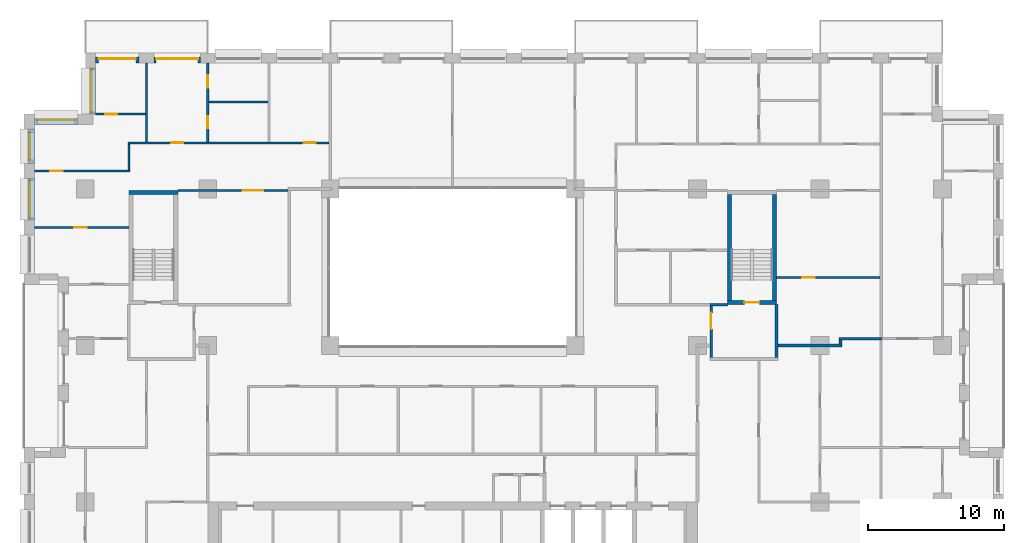
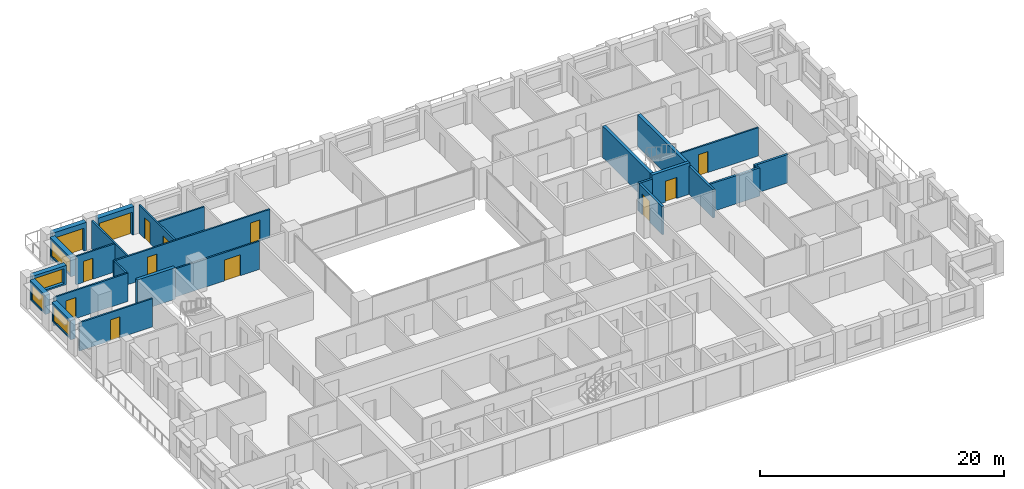
# One storey, part 12 of 16: 26 walls, 13 doors, 4 windows, 17 openings.
"""IFC4 building model written with IfcOpenShell, lengths in metres."""

from ifc_helpers import new_model, si_unit, direction, frame, frame_2d, origin, place, context, subcontext, project, spatial, rectangle, extrude, material, layer, layer_set, type_object, element, fill, save


model = new_model("IFC4")

# Units and contexts
model_context = context("Model", 3, precision=1e-05, world=origin(), true_north=direction((0.0, 1.0)))
body_context = subcontext(model_context, "Body", "Model", "MODEL_VIEW")
ifc_project = project(units=[si_unit("LENGTHUNIT", "METRE"), si_unit("AREAUNIT", "SQUARE_METRE"), si_unit("VOLUMEUNIT", "CUBIC_METRE"), si_unit("PLANEANGLEUNIT", "RADIAN"), si_unit("MASSUNIT", "GRAM", prefix="KILO")], contexts=[model_context])

# Site, building, storey
site_placement = place(None, origin())
site = spatial("IfcSite", under=ifc_project, at=site_placement, CompositionType="ELEMENT")
building_placement = place(site_placement, origin())
building = spatial("IfcBuilding", under=site, at=building_placement, Name="Brigalow Station Residences", CompositionType="ELEMENT")
storey_placement = place(building_placement, frame((0.0, 0.0, 83.550048828125)))
storey = spatial("IfcBuildingStorey", under=building, at=storey_placement, Name="L23", CompositionType="ELEMENT", Elevation=83.550048828125)

# Wall, opening, door
ifc_material_1 = material(Name="Clay brick masonry", Category="masonry")
ifc_layer_1 = layer(ifc_material_1, 0.449951171875)
ifc_layer_set_1 = layer_set([ifc_layer_1], Name="BRICK INFILL WALL 450")
wall_type_1 = type_object("IfcWallType", Name="BRICK INFILL WALL 450", PredefinedType="SOLIDWALL", material=ifc_layer_set_1)
wall_1_placement = place(storey_placement, frame((17.449951171875, 44.97509765625, 0.0), z_axis=(0.0, 0.0, 1.0), x_axis=(-1.0, 0.0, 0.0)))
wall_1 = element("IfcWall", 1, at=wall_1_placement, inside=storey, type_object=wall_type_1, Name="L23/ewall/W-L23-35", PredefinedType="SOLIDWALL", context=body_context, shape_type="SweptSolid", body=[
    extrude(rectangle(XDim=3.39990234375, YDim=0.449951171875, at=frame_2d((1.699951171875, 0.0))), origin(), (0.0, 0.0, 1.0), 2.829833984375),
])
opening_1_placement = place(wall_1_placement, frame((0.14990234375, 0.0, 0.0)))
opening_1 = element("IfcOpeningElement", 2, at=opening_1_placement, cuts=wall_1, Name="Opening D-B3100", PredefinedType="OPENING", context=body_context, shape_type="SweptSolid", body=[
    extrude(rectangle(XDim=3.10009765625, YDim=2.300048828125, at=frame_2d((1.550048828125, 1.14990234375))), frame((0.0, 0.23486328125, 0.0), z_axis=(0.0, -1.0, 0.0), x_axis=(1.0, 0.0, 0.0)), (0.0, 0.0, 1.0), 0.469970703125),
])
ifc_material_2 = material(Name="Anodised aluminium frame with double glazing", Category="aluminium")
door_type_1 = type_object("IfcDoorType", Name="BALCONY SLIDING DOOR 3100x2300", OperationType="SLIDING_TO_LEFT", PredefinedType="DOOR", material=ifc_material_2)
door_1_placement = place(opening_1_placement, origin())
door_1 = element("IfcDoor", 3, at=door_1_placement, inside=storey, type_object=door_type_1, Name="L23/balcony-door/W-L23-35", OperationType="SLIDING_TO_LEFT", OverallHeight=2.300048828125, OverallWidth=3.10009765625, PredefinedType="DOOR", context=body_context, shape_type="SweptSolid", body=[
    extrude(rectangle(XDim=3.10009765625, YDim=2.300048828125, at=frame_2d((1.550048828125, 1.14990234375))), frame((0.0, -0.06982421875, 0.0), z_axis=(0.0, -1.0, 0.0), x_axis=(1.0, 0.0, 0.0)), (0.0, 0.0, 1.0), 0.050048828125),
])
fill(opening_1, door_1)

wall_2_placement = place(storey_placement, frame((12.949951171875, 44.97509765625, 0.0), z_axis=(0.0, 0.0, 1.0), x_axis=(-1.0, 0.0, 0.0)))
wall_2 = element("IfcWall", 4, at=wall_2_placement, inside=storey, type_object=wall_type_1, Name="L23/ewall/W-L23-36", PredefinedType="SOLIDWALL", context=body_context, shape_type="SweptSolid", body=[
    extrude(rectangle(XDim=3.199951171875, YDim=0.449951171875, at=frame_2d((1.60009765625, 0.0))), origin(), (0.0, 0.0, 1.0), 2.829833984375),
])
opening_2_placement = place(wall_2_placement, frame((0.22509765625, 0.0, 0.0)))
opening_2 = element("IfcOpeningElement", 5, at=opening_2_placement, cuts=wall_2, Name="Opening D-B2750", PredefinedType="OPENING", context=body_context, shape_type="SweptSolid", body=[
    extrude(rectangle(XDim=2.75, YDim=2.300048828125, at=frame_2d((1.375, 1.14990234375))), frame((0.0, 0.23486328125, 0.0), z_axis=(0.0, -1.0, 0.0), x_axis=(1.0, 0.0, 0.0)), (0.0, 0.0, 1.0), 0.469970703125),
])
ifc_material_3 = material(Name="Anodised aluminium frame with double glazing", Category="aluminium")
door_type_2 = type_object("IfcDoorType", Name="BALCONY SLIDING DOOR 2750x2300", OperationType="SLIDING_TO_LEFT", PredefinedType="DOOR", material=ifc_material_3)
door_2_placement = place(opening_2_placement, origin())
door_2 = element("IfcDoor", 6, at=door_2_placement, inside=storey, type_object=door_type_2, Name="L23/balcony-door/W-L23-36", OperationType="SLIDING_TO_LEFT", OverallHeight=2.300048828125, OverallWidth=2.75, PredefinedType="DOOR", context=body_context, shape_type="SweptSolid", body=[
    extrude(rectangle(XDim=2.75, YDim=2.300048828125, at=frame_2d((1.375, 1.14990234375))), frame((0.0, -0.06982421875, 0.0), z_axis=(0.0, -1.0, 0.0), x_axis=(1.0, 0.0, 0.0)), (0.0, 0.0, 1.0), 0.050048828125),
])
fill(opening_2, door_2)

# Wall, opening, window
wall_3_placement = place(storey_placement, frame((9.52490234375, 44.39990234375, 0.89990234375), z_axis=(0.0, 0.0, 1.0), x_axis=(0.0, -1.0, 0.0)))
wall_3 = element("IfcWall", 7, at=wall_3_placement, inside=storey, type_object=wall_type_1, Name="L23/ewall/W-L23-37", PredefinedType="SOLIDWALL", context=body_context, shape_type="SweptSolid", body=[
    extrude(rectangle(XDim=3.39990234375, YDim=0.449951171875, at=frame_2d((1.699951171875, 0.0))), origin(), (0.0, 0.0, 1.0), 1.929931640625),
])
opening_3_placement = place(wall_3_placement, frame((0.14990234375, 0.0, 0.14990234375)))
opening_3 = element("IfcOpeningElement", 8, at=opening_3_placement, cuts=wall_3, Name="Opening WT-8", PredefinedType="OPENING", context=body_context, shape_type="SweptSolid", body=[
    extrude(rectangle(XDim=3.10009765625, YDim=1.5, at=frame_2d((1.550048828125, 0.75))), frame((0.0, 0.23486328125, 0.0), z_axis=(0.0, -1.0, 0.0), x_axis=(1.0, 0.0, 0.0)), (0.0, 0.0, 1.0), 0.469970703125),
])
ifc_material_4 = material(Name="Anodised aluminium frame with double glazing", Category="aluminium")
window_type_1 = type_object("IfcWindowType", Name="WINDOW 3100x1500", PartitioningType="SINGLE_PANEL", PredefinedType="WINDOW", material=ifc_material_4)
window_1_placement = place(opening_3_placement, origin())
window_1 = element("IfcWindow", 9, at=window_1_placement, inside=storey, type_object=window_type_1, Name="L23/window/W-L23-37", OverallHeight=1.5, OverallWidth=3.10009765625, PartitioningType="SINGLE_PANEL", PredefinedType="WINDOW", context=body_context, shape_type="SweptSolid", body=[
    extrude(rectangle(XDim=3.10009765625, YDim=1.5, at=frame_2d((1.550048828125, 0.75))), frame((0.0, -0.06494140625, 0.0), z_axis=(0.0, -1.0, 0.0), x_axis=(1.0, 0.0, 0.0)), (0.0, 0.0, 1.0), 0.06005859375),
])
fill(opening_3, window_1)

wall_4_placement = place(storey_placement, frame((8.449951171875, 40.47509765625, 0.89990234375), z_axis=(0.0, 0.0, 1.0), x_axis=(-1.0, 0.0, 0.0)))
wall_4 = element("IfcWall", 10, at=wall_4_placement, inside=storey, type_object=wall_type_1, Name="L23/ewall/W-L23-38", PredefinedType="SOLIDWALL", context=body_context, shape_type="SweptSolid", body=[
    extrude(rectangle(XDim=3.199951171875, YDim=0.449951171875, at=frame_2d((1.60009765625, 0.0))), origin(), (0.0, 0.0, 1.0), 1.929931640625),
])
opening_4_placement = place(wall_4_placement, frame((0.22509765625, 0.0, 0.14990234375)))
opening_4 = element("IfcOpeningElement", 11, at=opening_4_placement, cuts=wall_4, Name="Opening WT-3", PredefinedType="OPENING", context=body_context, shape_type="SweptSolid", body=[
    extrude(rectangle(XDim=2.75, YDim=1.5, at=frame_2d((1.375, 0.75))), frame((0.0, 0.23486328125, 0.0), z_axis=(0.0, -1.0, 0.0), x_axis=(1.0, 0.0, 0.0)), (0.0, 0.0, 1.0), 0.469970703125),
])
ifc_material_5 = material(Name="Anodised aluminium frame with double glazing", Category="aluminium")
window_type_2 = type_object("IfcWindowType", Name="WINDOW 2750x1500", PartitioningType="SINGLE_PANEL", PredefinedType="WINDOW", material=ifc_material_5)
window_2_placement = place(opening_4_placement, origin())
window_2 = element("IfcWindow", 12, at=window_2_placement, inside=storey, type_object=window_type_2, Name="L23/window/W-L23-38", OverallHeight=1.5, OverallWidth=2.75, PartitioningType="SINGLE_PANEL", PredefinedType="WINDOW", context=body_context, shape_type="SweptSolid", body=[
    extrude(rectangle(XDim=2.75, YDim=1.5, at=frame_2d((1.375, 0.75))), frame((0.0, -0.06494140625, 0.0), z_axis=(0.0, -1.0, 0.0), x_axis=(1.0, 0.0, 0.0)), (0.0, 0.0, 1.0), 0.06005859375),
])
fill(opening_4, window_2)

wall_5_placement = place(storey_placement, frame((5.02490234375, 39.89990234375, 0.89990234375), z_axis=(0.0, 0.0, 1.0), x_axis=(0.0, -1.0, 0.0)))
wall_5 = element("IfcWall", 13, at=wall_5_placement, inside=storey, type_object=wall_type_1, Name="L23/ewall/W-L23-39", PredefinedType="SOLIDWALL", context=body_context, shape_type="SweptSolid", body=[
    extrude(rectangle(XDim=2.516845703125, YDim=0.449951171875, at=frame_2d((1.25830078125, 0.0))), origin(), (0.0, 0.0, 1.0), 1.929931640625),
])
opening_5_placement = place(wall_5_placement, frame((0.258544921875, 0.0, 0.14990234375)))
opening_5 = element("IfcOpeningElement", 14, at=opening_5_placement, cuts=wall_5, Name="Opening WT-7", PredefinedType="OPENING", context=body_context, shape_type="SweptSolid", body=[
    extrude(rectangle(XDim=2.0, YDim=1.5, at=frame_2d((1.0, 0.75))), frame((0.0, 0.23486328125, 0.0), z_axis=(0.0, -1.0, 0.0), x_axis=(1.0, 0.0, 0.0)), (0.0, 0.0, 1.0), 0.469970703125),
])
ifc_material_6 = material(Name="Anodised aluminium frame with double glazing", Category="aluminium")
window_type_3 = type_object("IfcWindowType", Name="WINDOW 2000x1500", PartitioningType="SINGLE_PANEL", PredefinedType="WINDOW", material=ifc_material_6)
window_3_placement = place(opening_5_placement, origin())
window_3 = element("IfcWindow", 15, at=window_3_placement, inside=storey, type_object=window_type_3, Name="L23/window/W-L23-39", OverallHeight=1.5, OverallWidth=2.0, PartitioningType="SINGLE_PANEL", PredefinedType="WINDOW", context=body_context, shape_type="SweptSolid", body=[
    extrude(rectangle(XDim=2.0, YDim=1.5, at=frame_2d((1.0, 0.75))), frame((0.0, -0.06494140625, 0.0), z_axis=(0.0, -1.0, 0.0), x_axis=(1.0, 0.0, 0.0)), (0.0, 0.0, 1.0), 0.06005859375),
])
fill(opening_5, window_3)

wall_6_placement = place(storey_placement, frame((5.02490234375, 36.282958984375, 0.89990234375), z_axis=(0.0, 0.0, 1.0), x_axis=(0.0, -1.0, 0.0)))
wall_6 = element("IfcWall", 16, at=wall_6_placement, inside=storey, type_object=wall_type_1, Name="L23/ewall/W-L23-40", PredefinedType="SOLIDWALL", context=body_context, shape_type="SweptSolid", body=[
    extrude(rectangle(XDim=3.06591796875, YDim=0.449951171875, at=frame_2d((1.532958984375, 0.0))), origin(), (0.0, 0.0, 1.0), 1.929931640625),
])
opening_6_placement = place(wall_6_placement, frame((0.157958984375, 0.0, 0.14990234375)))
opening_6 = element("IfcOpeningElement", 17, at=opening_6_placement, cuts=wall_6, Name="Opening WT-3", PredefinedType="OPENING", context=body_context, shape_type="SweptSolid", body=[
    extrude(rectangle(XDim=2.75, YDim=1.5, at=frame_2d((1.375, 0.75))), frame((0.0, 0.23486328125, 0.0), z_axis=(0.0, -1.0, 0.0), x_axis=(1.0, 0.0, 0.0)), (0.0, 0.0, 1.0), 0.469970703125),
])
window_4_placement = place(opening_6_placement, origin())
window_4 = element("IfcWindow", 18, at=window_4_placement, inside=storey, type_object=window_type_2, Name="L23/window/W-L23-40", OverallHeight=1.5, OverallWidth=2.75, PartitioningType="SINGLE_PANEL", PredefinedType="WINDOW", context=body_context, shape_type="SweptSolid", body=[
    extrude(rectangle(XDim=2.75, YDim=1.5, at=frame_2d((1.375, 0.75))), frame((0.0, -0.06494140625, 0.0), z_axis=(0.0, -1.0, 0.0), x_axis=(1.0, 0.0, 0.0)), (0.0, 0.0, 1.0), 0.06005859375),
])
fill(opening_6, window_4)

# Wall
ifc_material_7 = material(Name="Concrete C65", Category="concrete")
ifc_layer_2 = layer(ifc_material_7, 0.300048828125)
ifc_layer_set_2 = layer_set([ifc_layer_2], Name="CORE SHEAR WALL 300 C65")
wall_type_2 = type_object("IfcWallType", Name="CORE SHEAR WALL 300 C65", PredefinedType="SHEAR", material=ifc_layer_set_2)
wall_7_placement = place(storey_placement, frame((12.199951171875, 35.25, 0.0), z_axis=(0.0, 0.0, 1.0), x_axis=(1.0, 0.0, 0.0)))
element("IfcWall", 19, at=wall_7_placement, inside=storey, type_object=wall_type_2, Name="CORE WALL ST-S1-N L23", PredefinedType="SHEAR", context=body_context, shape_type="SweptSolid", body=[
    extrude(rectangle(XDim=3.60009765625, YDim=0.300048828125, at=frame_2d((1.800048828125, 0.0))), origin(), (0.0, 0.0, 1.0), 3.14990234375),
])

# Wall, opening, door
wall_8_placement = place(storey_placement, frame((56.199951171875, 27.14990234375, 0.0), z_axis=(0.0, 0.0, 1.0), x_axis=(1.0, 0.0, 0.0)))
wall_8 = element("IfcWall", 20, at=wall_8_placement, inside=storey, type_object=wall_type_2, Name="CORE WALL ST-S3-S L23", PredefinedType="SHEAR", context=body_context, shape_type="SweptSolid", body=[
    extrude(rectangle(XDim=3.60009765625, YDim=0.300048828125, at=frame_2d((1.800048828125, 0.0))), origin(), (0.0, 0.0, 1.0), 3.14990234375),
])
opening_7_placement = place(wall_8_placement, frame((1.25, 0.0, 0.0)))
opening_7 = element("IfcOpeningElement", 21, at=opening_7_placement, cuts=wall_8, Name="Opening D-5018", PredefinedType="OPENING", context=body_context, shape_type="SweptSolid", body=[
    extrude(rectangle(XDim=1.10009765625, YDim=2.10009765625, at=frame_2d((0.550048828125, 1.050048828125))), frame((0.0, 0.16015625, 0.0), z_axis=(0.0, -1.0, 0.0), x_axis=(1.0, 0.0, 0.0)), (0.0, 0.0, 1.0), 0.320068359375),
])
ifc_material_8 = material(Name="Steel fire door leaf in steel frame", Category="steel")
door_type_3 = type_object("IfcDoorType", Name="STAIR DOOR 1100 x 2100 FD60S", OperationType="SINGLE_SWING_LEFT", PredefinedType="DOOR", material=ifc_material_8)
door_3_placement = place(opening_7_placement, origin())
door_3 = element("IfcDoor", 22, at=door_3_placement, inside=storey, type_object=door_type_3, Name="D-5018", OperationType="SINGLE_SWING_LEFT", OverallHeight=2.10009765625, OverallWidth=1.10009765625, PredefinedType="DOOR", context=body_context, shape_type="SweptSolid", body=[
    extrude(rectangle(XDim=1.10009765625, YDim=2.10009765625, at=frame_2d((0.550048828125, 1.050048828125))), frame((0.0, 0.02490234375, 0.0), z_axis=(0.0, -1.0, 0.0), x_axis=(1.0, 0.0, 0.0)), (0.0, 0.0, 1.0), 0.050048828125),
])
fill(opening_7, door_3)

# Walls
for number, where, z_axis, x_axis, name in (
    (23, (56.35009765625, 27.300048828125, 0.0), (0.0, 0.0, 1.0), (0.0, 1.0, 0.0), "CORE WALL ST-S3-W L23"),
    (24, (59.64990234375, 27.300048828125, 0.0), (0.0, 0.0, 1.0), (0.0, 1.0, 0.0), "CORE WALL ST-S3-E L23"),
):
    element("IfcWall", number, at=place(storey_placement, frame(where, z_axis=z_axis, x_axis=x_axis)), inside=storey, type_object=wall_type_2, Name=name, PredefinedType="SHEAR", context=body_context, shape_type="SweptSolid", body=[
        extrude(rectangle(XDim=7.800048828125, YDim=0.300048828125, at=frame_2d((3.89990234375, 0.0))), origin(), (0.0, 0.0, 1.0), 3.14990234375),
    ])
ifc_material_9 = material(Name="Concrete blockwork", Category="masonry")
ifc_layer_3 = layer(ifc_material_9, 0.199951171875)
ifc_layer_set_3 = layer_set([ifc_layer_3], Name="FIRE RATED CORE PARTITION 200")
wall_type_3 = type_object("IfcWallType", Name="FIRE RATED CORE PARTITION 200", PredefinedType="PARTITIONING", material=ifc_layer_set_3)
wall_9_placement = place(storey_placement, frame((54.89990234375, 27.0, 0.0), z_axis=(0.0, 0.0, 1.0), x_axis=(1.0, 0.0, 0.0)))
element("IfcWall", 25, at=wall_9_placement, inside=storey, type_object=wall_type_3, Name="PW-5026", PredefinedType="PARTITIONING", context=body_context, shape_type="SweptSolid", body=[
    extrude(rectangle(XDim=1.300048828125, YDim=0.199951171875, at=frame_2d((0.64990234375, 0.0))), origin(), (0.0, 0.0, 1.0), 2.829833984375),
])

# Wall, opening, door
wall_10_placement = place(storey_placement, frame((55.0, 23.10009765625, 0.0), z_axis=(0.0, 0.0, 1.0), x_axis=(0.0, 1.0, 0.0)))
wall_10 = element("IfcWall", 26, at=wall_10_placement, inside=storey, type_object=wall_type_3, Name="PW-5036", PredefinedType="PARTITIONING", context=body_context, shape_type="SweptSolid", body=[
    extrude(rectangle(XDim=3.7998046875, YDim=0.199951171875, at=frame_2d((1.89990234375, 0.0))), origin(), (0.0, 0.0, 1.0), 2.829833984375),
])
opening_8_placement = place(wall_10_placement, frame((2.10009765625, 0.0, 0.0)))
opening_8 = element("IfcOpeningElement", 27, at=opening_8_placement, cuts=wall_10, Name="Opening D-5019", PredefinedType="OPENING", context=body_context, shape_type="SweptSolid", body=[
    extrude(rectangle(XDim=1.199951171875, YDim=2.10009765625, at=frame_2d((0.60009765625, 1.050048828125))), frame((0.0, 0.10986328125, 0.0), z_axis=(0.0, -1.0, 0.0), x_axis=(1.0, 0.0, 0.0)), (0.0, 0.0, 1.0), 0.219970703125),
])
ifc_material_10 = material(Name="Steel fire door leaf in steel frame", Category="steel")
door_type_4 = type_object("IfcDoorType", Name="STAIR LOBBY DOOR 1200 x 2100 FD60S", OperationType="SINGLE_SWING_LEFT", PredefinedType="DOOR", material=ifc_material_10)
door_4_placement = place(opening_8_placement, frame((1.199951171875, 0.0, 0.0), z_axis=(0.0, 0.0, 1.0), x_axis=(-1.0, 0.0, 0.0)))
door_4 = element("IfcDoor", 28, at=door_4_placement, inside=storey, type_object=door_type_4, Name="D-5019", OperationType="SINGLE_SWING_LEFT", OverallHeight=2.10009765625, OverallWidth=1.199951171875, PredefinedType="DOOR", context=body_context, shape_type="SweptSolid", body=[
    extrude(rectangle(XDim=1.199951171875, YDim=2.10009765625, at=frame_2d((0.60009765625, 1.050048828125))), frame((0.0, 0.02490234375, 0.0), z_axis=(0.0, -1.0, 0.0), x_axis=(1.0, 0.0, 0.0)), (0.0, 0.0, 1.0), 0.050048828125),
])
fill(opening_8, door_4)

# Wall
wall_11_placement = place(storey_placement, frame((59.800048828125, 23.10009765625, 0.0), z_axis=(0.0, 0.0, 1.0), x_axis=(0.0, 1.0, 0.0)))
element("IfcWall", 29, at=wall_11_placement, inside=storey, type_object=wall_type_3, Name="PW-5037", PredefinedType="PARTITIONING", context=body_context, shape_type="SweptSolid", body=[
    extrude(rectangle(XDim=3.89990234375, YDim=0.199951171875, at=frame_2d((1.949951171875, 0.0))), origin(), (0.0, 0.0, 1.0), 2.829833984375),
])

# Wall, opening, door
ifc_material_11 = material(Name="Plasterboard on steel stud partition", Category="steel")
ifc_layer_4 = layer(ifc_material_11, 0.14990234375)
ifc_layer_set_4 = layer_set([ifc_layer_4], Name="FLAT PARTITION 150")
wall_type_4 = type_object("IfcWallType", Name="FLAT PARTITION 150", PredefinedType="PARTITIONING", material=ifc_layer_set_4)
wall_12_placement = place(storey_placement, frame((5.25, 32.6669921875, 0.0), z_axis=(0.0, 0.0, 1.0), x_axis=(1.0, 0.0, 0.0)))
wall_12 = element("IfcWall", 30, at=wall_12_placement, inside=storey, type_object=wall_type_4, Name="PW-2A24", PredefinedType="PARTITIONING", context=body_context, shape_type="SweptSolid", body=[
    extrude(rectangle(XDim=6.949951171875, YDim=0.14990234375, at=frame_2d((3.47509765625, 0.0))), origin(), (0.0, 0.0, 1.0), 2.829833984375),
])
opening_9_placement = place(wall_12_placement, frame((2.949951171875, 0.0, 0.0)))
opening_9 = element("IfcOpeningElement", 31, at=opening_9_placement, cuts=wall_12, Name="Opening D-2A12", PredefinedType="OPENING", context=body_context, shape_type="SweptSolid", body=[
    extrude(rectangle(XDim=0.89990234375, YDim=2.10009765625, at=frame_2d((0.449951171875, 1.050048828125))), frame((0.0, 0.0849609375, 0.0), z_axis=(0.0, -1.0, 0.0), x_axis=(1.0, 0.0, 0.0)), (0.0, 0.0, 1.0), 0.169921875),
])
ifc_material_12 = material(Name="Solid-core timber door leaf", Category="wood")
door_type_5 = type_object("IfcDoorType", Name="INTERNAL DOOR 900 x 2100", OperationType="SINGLE_SWING_LEFT", PredefinedType="DOOR", material=ifc_material_12)
door_5_placement = place(opening_9_placement, frame((0.89990234375, 0.0, 0.0), z_axis=(0.0, 0.0, 1.0), x_axis=(-1.0, 0.0, 0.0)))
door_5 = element("IfcDoor", 32, at=door_5_placement, inside=storey, type_object=door_type_5, Name="D-2A12", OperationType="SINGLE_SWING_RIGHT", OverallHeight=2.10009765625, OverallWidth=0.89990234375, PredefinedType="DOOR", context=body_context, shape_type="SweptSolid", body=[
    extrude(rectangle(XDim=0.89990234375, YDim=2.10009765625, at=frame_2d((0.449951171875, 1.050048828125))), frame((0.0, 0.02490234375, 0.0), z_axis=(0.0, -1.0, 0.0), x_axis=(1.0, 0.0, 0.0)), (0.0, 0.0, 1.0), 0.050048828125),
])
fill(opening_9, door_5)

wall_13_placement = place(storey_placement, frame((5.25, 36.8330078125, 0.0), z_axis=(0.0, 0.0, 1.0), x_axis=(1.0, 0.0, 0.0)))
wall_13 = element("IfcWall", 33, at=wall_13_placement, inside=storey, type_object=wall_type_4, Name="PW-2A25", PredefinedType="PARTITIONING", context=body_context, shape_type="SweptSolid", body=[
    extrude(rectangle(XDim=7.02490234375, YDim=0.14990234375, at=frame_2d((3.512451171875, 0.0))), origin(), (0.0, 0.0, 1.0), 2.829833984375),
])
opening_10_placement = place(wall_13_placement, frame((1.175048828125, 0.0, 0.0)))
opening_10 = element("IfcOpeningElement", 34, at=opening_10_placement, cuts=wall_13, Name="Opening D-2A13", PredefinedType="OPENING", context=body_context, shape_type="SweptSolid", body=[
    extrude(rectangle(XDim=0.89990234375, YDim=2.10009765625, at=frame_2d((0.449951171875, 1.050048828125))), frame((0.0, 0.0849609375, 0.0), z_axis=(0.0, -1.0, 0.0), x_axis=(1.0, 0.0, 0.0)), (0.0, 0.0, 1.0), 0.169921875),
])
door_6_placement = place(opening_10_placement, origin())
door_6 = element("IfcDoor", 35, at=door_6_placement, inside=storey, type_object=door_type_5, Name="D-2A13", OperationType="SINGLE_SWING_LEFT", OverallHeight=2.10009765625, OverallWidth=0.89990234375, PredefinedType="DOOR", context=body_context, shape_type="SweptSolid", body=[
    extrude(rectangle(XDim=0.89990234375, YDim=2.10009765625, at=frame_2d((0.449951171875, 1.050048828125))), frame((0.0, 0.02490234375, 0.0), z_axis=(0.0, -1.0, 0.0), x_axis=(1.0, 0.0, 0.0)), (0.0, 0.0, 1.0), 0.050048828125),
])
fill(opening_10, door_6)

# Wall, openings, doors
wall_14_placement = place(storey_placement, frame((12.125, 38.89990234375, 0.0), z_axis=(0.0, 0.0, 1.0), x_axis=(1.0, 0.0, 0.0)))
wall_14 = element("IfcWall", 36, at=wall_14_placement, inside=storey, type_object=wall_type_4, Name="PW-2A27", PredefinedType="PARTITIONING", context=body_context, shape_type="SweptSolid", body=[
    extrude(rectangle(XDim=14.77490234375, YDim=0.14990234375, at=frame_2d((7.387451171875, 0.0))), origin(), (0.0, 0.0, 1.0), 2.829833984375),
])
opening_11_placement = place(wall_14_placement, frame((3.175048828125, 0.0, 0.0)))
opening_11 = element("IfcOpeningElement", 37, at=opening_11_placement, cuts=wall_14, Name="Opening D-2A15", PredefinedType="OPENING", context=body_context, shape_type="SweptSolid", body=[
    extrude(rectangle(XDim=0.89990234375, YDim=2.10009765625, at=frame_2d((0.449951171875, 1.050048828125))), frame((0.0, 0.0849609375, 0.0), z_axis=(0.0, -1.0, 0.0), x_axis=(1.0, 0.0, 0.0)), (0.0, 0.0, 1.0), 0.169921875),
])
opening_12_placement = place(wall_14_placement, frame((12.925048828125, 0.0, 0.0)))
opening_12 = element("IfcOpeningElement", 38, at=opening_12_placement, cuts=wall_14, Name="Opening D-2A19", PredefinedType="OPENING", context=body_context, shape_type="SweptSolid", body=[
    extrude(rectangle(XDim=0.89990234375, YDim=2.10009765625, at=frame_2d((0.449951171875, 1.050048828125))), frame((0.0, 0.0849609375, 0.0), z_axis=(0.0, -1.0, 0.0), x_axis=(1.0, 0.0, 0.0)), (0.0, 0.0, 1.0), 0.169921875),
])
door_7_placement = place(opening_11_placement, origin())
door_7 = element("IfcDoor", 39, at=door_7_placement, inside=storey, type_object=door_type_5, Name="D-2A15", OperationType="SINGLE_SWING_RIGHT", OverallHeight=2.10009765625, OverallWidth=0.89990234375, PredefinedType="DOOR", context=body_context, shape_type="SweptSolid", body=[
    extrude(rectangle(XDim=0.89990234375, YDim=2.10009765625, at=frame_2d((0.449951171875, 1.050048828125))), frame((0.0, 0.02490234375, 0.0), z_axis=(0.0, -1.0, 0.0), x_axis=(1.0, 0.0, 0.0)), (0.0, 0.0, 1.0), 0.050048828125),
])
fill(opening_11, door_7)
door_8_placement = place(opening_12_placement, origin())
door_8 = element("IfcDoor", 40, at=door_8_placement, inside=storey, type_object=door_type_5, Name="D-2A19", OperationType="SINGLE_SWING_RIGHT", OverallHeight=2.10009765625, OverallWidth=0.89990234375, PredefinedType="DOOR", context=body_context, shape_type="SweptSolid", body=[
    extrude(rectangle(XDim=0.89990234375, YDim=2.10009765625, at=frame_2d((0.449951171875, 1.050048828125))), frame((0.0, 0.02490234375, 0.0), z_axis=(0.0, -1.0, 0.0), x_axis=(1.0, 0.0, 0.0)), (0.0, 0.0, 1.0), 0.050048828125),
])
fill(opening_12, door_8)

# Wall, opening, door
wall_15_placement = place(storey_placement, frame((15.800048828125, 35.39990234375, 0.0), z_axis=(0.0, 0.0, 1.0), x_axis=(1.0, 0.0, 0.0)))
wall_15 = element("IfcWall", 41, at=wall_15_placement, inside=storey, type_object=wall_type_4, Name="PW-2A28", PredefinedType="PARTITIONING", context=body_context, shape_type="SweptSolid", body=[
    extrude(rectangle(XDim=8.099853515625, YDim=0.14990234375, at=frame_2d((4.0498046875, 0.0))), origin(), (0.0, 0.0, 1.0), 2.829833984375),
])
opening_13_placement = place(wall_15_placement, frame((4.77490234375, 0.0, 0.0)))
opening_13 = element("IfcOpeningElement", 42, at=opening_13_placement, cuts=wall_15, Name="Opening D-2A18", PredefinedType="OPENING", context=body_context, shape_type="SweptSolid", body=[
    extrude(rectangle(XDim=1.5, YDim=2.10009765625, at=frame_2d((0.75, 1.050048828125))), frame((0.0, 0.0849609375, 0.0), z_axis=(0.0, -1.0, 0.0), x_axis=(1.0, 0.0, 0.0)), (0.0, 0.0, 1.0), 0.169921875),
])
ifc_material_13 = material(Name="Solid-core timber door leaf", Category="wood")
door_type_6 = type_object("IfcDoorType", Name="INTERNAL DOUBLE DOOR 1500 x 2100", OperationType="DOUBLE_DOOR_SINGLE_SWING", PredefinedType="DOOR", material=ifc_material_13)
door_9_placement = place(opening_13_placement, frame((1.5, 0.0, 0.0), z_axis=(0.0, 0.0, 1.0), x_axis=(-1.0, 0.0, 0.0)))
door_9 = element("IfcDoor", 43, at=door_9_placement, inside=storey, type_object=door_type_6, Name="D-2A18", OperationType="DOUBLE_DOOR_SINGLE_SWING", OverallHeight=2.10009765625, OverallWidth=1.5, PredefinedType="DOOR", context=body_context, shape_type="SweptSolid", body=[
    extrude(rectangle(XDim=1.5, YDim=2.10009765625, at=frame_2d((0.75, 1.050048828125))), frame((0.0, 0.02490234375, 0.0), z_axis=(0.0, -1.0, 0.0), x_axis=(1.0, 0.0, 0.0)), (0.0, 0.0, 1.0), 0.050048828125),
])
fill(opening_13, door_9)

wall_16_placement = place(storey_placement, frame((9.75, 41.0, 0.0), z_axis=(0.0, 0.0, 1.0), x_axis=(1.0, 0.0, 0.0)))
wall_16 = element("IfcWall", 44, at=wall_16_placement, inside=storey, type_object=wall_type_4, Name="PW-2A31", PredefinedType="PARTITIONING", context=body_context, shape_type="SweptSolid", body=[
    extrude(rectangle(XDim=3.675048828125, YDim=0.14990234375, at=frame_2d((1.83740234375, 0.0))), origin(), (0.0, 0.0, 1.0), 2.829833984375),
])
opening_14_placement = place(wall_16_placement, frame((0.699951171875, 0.0, 0.0)))
opening_14 = element("IfcOpeningElement", 45, at=opening_14_placement, cuts=wall_16, Name="Opening D-2A14", PredefinedType="OPENING", context=body_context, shape_type="SweptSolid", body=[
    extrude(rectangle(XDim=0.89990234375, YDim=2.10009765625, at=frame_2d((0.449951171875, 1.050048828125))), frame((0.0, 0.0849609375, 0.0), z_axis=(0.0, -1.0, 0.0), x_axis=(1.0, 0.0, 0.0)), (0.0, 0.0, 1.0), 0.169921875),
])
door_10_placement = place(opening_14_placement, origin())
door_10 = element("IfcDoor", 46, at=door_10_placement, inside=storey, type_object=door_type_5, Name="D-2A14", OperationType="SINGLE_SWING_LEFT", OverallHeight=2.10009765625, OverallWidth=0.89990234375, PredefinedType="DOOR", context=body_context, shape_type="SweptSolid", body=[
    extrude(rectangle(XDim=0.89990234375, YDim=2.10009765625, at=frame_2d((0.449951171875, 1.050048828125))), frame((0.0, 0.02490234375, 0.0), z_axis=(0.0, -1.0, 0.0), x_axis=(1.0, 0.0, 0.0)), (0.0, 0.0, 1.0), 0.050048828125),
])
fill(opening_14, door_10)

# Wall
wall_17_placement = place(storey_placement, frame((18.074951171875, 41.89990234375, 0.0), z_axis=(0.0, 0.0, 1.0), x_axis=(1.0, 0.0, 0.0)))
element("IfcWall", 47, at=wall_17_placement, inside=storey, type_object=wall_type_4, Name="PW-2A33", PredefinedType="PARTITIONING", context=body_context, shape_type="SweptSolid", body=[
    extrude(rectangle(XDim=4.35009765625, YDim=0.14990234375, at=frame_2d((2.175048828125, 0.0))), origin(), (0.0, 0.0, 1.0), 2.829833984375),
])

# Wall, opening, door
wall_18_placement = place(storey_placement, frame((59.800048828125, 29.0, 0.0), z_axis=(0.0, 0.0, 1.0), x_axis=(1.0, 0.0, 0.0)))
wall_18 = element("IfcWall", 48, at=wall_18_placement, inside=storey, type_object=wall_type_4, Name="PW-2A37", PredefinedType="PARTITIONING", context=body_context, shape_type="SweptSolid", body=[
    extrude(rectangle(XDim=7.599853515625, YDim=0.14990234375, at=frame_2d((3.7998046875, 0.0))), origin(), (0.0, 0.0, 1.0), 2.829833984375),
])
opening_15_placement = place(wall_18_placement, frame((1.89990234375, 0.0, 0.0)))
opening_15 = element("IfcOpeningElement", 49, at=opening_15_placement, cuts=wall_18, Name="Opening D-2A33", PredefinedType="OPENING", context=body_context, shape_type="SweptSolid", body=[
    extrude(rectangle(XDim=0.89990234375, YDim=2.10009765625, at=frame_2d((0.449951171875, 1.050048828125))), frame((0.0, 0.0849609375, 0.0), z_axis=(0.0, -1.0, 0.0), x_axis=(1.0, 0.0, 0.0)), (0.0, 0.0, 1.0), 0.169921875),
])
door_11_placement = place(opening_15_placement, frame((0.89990234375, 0.0, 0.0), z_axis=(0.0, 0.0, 1.0), x_axis=(-1.0, 0.0, 0.0)))
door_11 = element("IfcDoor", 50, at=door_11_placement, inside=storey, type_object=door_type_5, Name="D-2A33", OperationType="SINGLE_SWING_RIGHT", OverallHeight=2.10009765625, OverallWidth=0.89990234375, PredefinedType="DOOR", context=body_context, shape_type="SweptSolid", body=[
    extrude(rectangle(XDim=0.89990234375, YDim=2.10009765625, at=frame_2d((0.449951171875, 1.050048828125))), frame((0.0, 0.02490234375, 0.0), z_axis=(0.0, -1.0, 0.0), x_axis=(1.0, 0.0, 0.0)), (0.0, 0.0, 1.0), 0.050048828125),
])
fill(opening_15, door_11)

# Wall, openings, doors
wall_19_placement = place(storey_placement, frame((18.0, 38.97509765625, 0.0), z_axis=(0.0, 0.0, 1.0), x_axis=(0.0, 1.0, 0.0)))
wall_19 = element("IfcWall", 51, at=wall_19_placement, inside=storey, type_object=wall_type_4, Name="PW-2A39", PredefinedType="PARTITIONING", context=body_context, shape_type="SweptSolid", body=[
    extrude(rectangle(XDim=5.77490234375, YDim=0.14990234375, at=frame_2d((2.887451171875, 0.0))), origin(), (0.0, 0.0, 1.0), 2.829833984375),
])
opening_16_placement = place(wall_19_placement, frame((0.97509765625, 0.0, 0.0)))
opening_16 = element("IfcOpeningElement", 52, at=opening_16_placement, cuts=wall_19, Name="Opening D-2A16", PredefinedType="OPENING", context=body_context, shape_type="SweptSolid", body=[
    extrude(rectangle(XDim=0.89990234375, YDim=2.10009765625, at=frame_2d((0.449951171875, 1.050048828125))), frame((0.0, 0.0849609375, 0.0), z_axis=(0.0, -1.0, 0.0), x_axis=(1.0, 0.0, 0.0)), (0.0, 0.0, 1.0), 0.169921875),
])
opening_17_placement = place(wall_19_placement, frame((3.97509765625, 0.0, 0.0)))
opening_17 = element("IfcOpeningElement", 53, at=opening_17_placement, cuts=wall_19, Name="Opening D-2A17", PredefinedType="OPENING", context=body_context, shape_type="SweptSolid", body=[
    extrude(rectangle(XDim=0.89990234375, YDim=2.10009765625, at=frame_2d((0.449951171875, 1.050048828125))), frame((0.0, 0.0849609375, 0.0), z_axis=(0.0, -1.0, 0.0), x_axis=(1.0, 0.0, 0.0)), (0.0, 0.0, 1.0), 0.169921875),
])
door_12_placement = place(opening_16_placement, frame((0.89990234375, 0.0, 0.0), z_axis=(0.0, 0.0, 1.0), x_axis=(-1.0, 0.0, 0.0)))
door_12 = element("IfcDoor", 54, at=door_12_placement, inside=storey, type_object=door_type_5, Name="D-2A16", OperationType="SINGLE_SWING_RIGHT", OverallHeight=2.10009765625, OverallWidth=0.89990234375, PredefinedType="DOOR", context=body_context, shape_type="SweptSolid", body=[
    extrude(rectangle(XDim=0.89990234375, YDim=2.10009765625, at=frame_2d((0.449951171875, 1.050048828125))), frame((0.0, 0.02490234375, 0.0), z_axis=(0.0, -1.0, 0.0), x_axis=(1.0, 0.0, 0.0)), (0.0, 0.0, 1.0), 0.050048828125),
])
fill(opening_16, door_12)
door_13_placement = place(opening_17_placement, frame((0.89990234375, 0.0, 0.0), z_axis=(0.0, 0.0, 1.0), x_axis=(-1.0, 0.0, 0.0)))
door_13 = element("IfcDoor", 55, at=door_13_placement, inside=storey, type_object=door_type_5, Name="D-2A17", OperationType="SINGLE_SWING_LEFT", OverallHeight=2.10009765625, OverallWidth=0.89990234375, PredefinedType="DOOR", context=body_context, shape_type="SweptSolid", body=[
    extrude(rectangle(XDim=0.89990234375, YDim=2.10009765625, at=frame_2d((0.449951171875, 1.050048828125))), frame((0.0, 0.02490234375, 0.0), z_axis=(0.0, -1.0, 0.0), x_axis=(1.0, 0.0, 0.0)), (0.0, 0.0, 1.0), 0.050048828125),
])
fill(opening_17, door_13)

# Walls
wall_20_placement = place(storey_placement, frame((13.5, 38.97509765625, 0.0), z_axis=(0.0, 0.0, 1.0), x_axis=(0.0, 1.0, 0.0)))
element("IfcWall", 56, at=wall_20_placement, inside=storey, type_object=wall_type_4, Name="PW-2A51", PredefinedType="PARTITIONING", context=body_context, shape_type="SweptSolid", body=[
    extrude(rectangle(XDim=5.77490234375, YDim=0.14990234375, at=frame_2d((2.887451171875, 0.0))), origin(), (0.0, 0.0, 1.0), 2.829833984375),
])
wall_21_placement = place(storey_placement, frame((12.199951171875, 36.907958984375, 0.0), z_axis=(0.0, 0.0, 1.0), x_axis=(0.0, 1.0, 0.0)))
element("IfcWall", 57, at=wall_21_placement, inside=storey, type_object=wall_type_4, Name="PW-2A53", PredefinedType="PARTITIONING", context=body_context, shape_type="SweptSolid", body=[
    extrude(rectangle(XDim=1.9169921875, YDim=0.14990234375, at=frame_2d((0.95849609375, 0.0))), origin(), (0.0, 0.0, 1.0), 2.829833984375),
])
ifc_material_14 = material(Name="Plasterboard on steel stud partition", Category="steel")
ifc_layer_5 = layer(ifc_material_14, 0.199951171875)
ifc_layer_set_5 = layer_set([ifc_layer_5], Name="PARTY AND CORRIDOR WALL 200")
wall_type_5 = type_object("IfcWallType", Name="PARTY AND CORRIDOR WALL 200", PredefinedType="PARTITIONING", material=ifc_layer_set_5)
wall_22_placement = place(storey_placement, frame((59.89990234375, 24.0, 0.0), z_axis=(0.0, 0.0, 1.0), x_axis=(1.0, 0.0, 0.0)))
element("IfcWall", 58, at=wall_22_placement, inside=storey, type_object=wall_type_5, Name="PW-2A04", PredefinedType="PARTITIONING", context=body_context, shape_type="SweptSolid", body=[
    extrude(rectangle(XDim=4.7001953125, YDim=0.199951171875, at=frame_2d((2.35009765625, 0.0))), origin(), (0.0, 0.0, 1.0), 2.829833984375),
])
wall_23_placement = place(storey_placement, frame((64.39990234375, 24.5, 0.0), z_axis=(0.0, 0.0, 1.0), x_axis=(1.0, 0.0, 0.0)))
element("IfcWall", 59, at=wall_23_placement, inside=storey, type_object=wall_type_5, Name="PW-2A21", PredefinedType="PARTITIONING", context=body_context, shape_type="SweptSolid", body=[
    extrude(rectangle(XDim=3.175048828125, YDim=0.199951171875, at=frame_2d((1.58740234375, 0.0))), origin(), (0.0, 0.0, 1.0), 2.829833984375),
])
wall_24_placement = place(storey_placement, frame((64.5, 24.10009765625, 0.0), z_axis=(0.0, 0.0, 1.0), x_axis=(0.0, 1.0, 0.0)))
element("IfcWall", 60, at=wall_24_placement, inside=storey, type_object=wall_type_5, Name="PW-2A69", PredefinedType="PARTITIONING", context=body_context, shape_type="SweptSolid", body=[
    extrude(rectangle(XDim=0.2998046875, YDim=0.199951171875, at=frame_2d((0.14990234375, 0.0))), origin(), (0.0, 0.0, 1.0), 2.829833984375),
])

save(model, "model.ifc")
